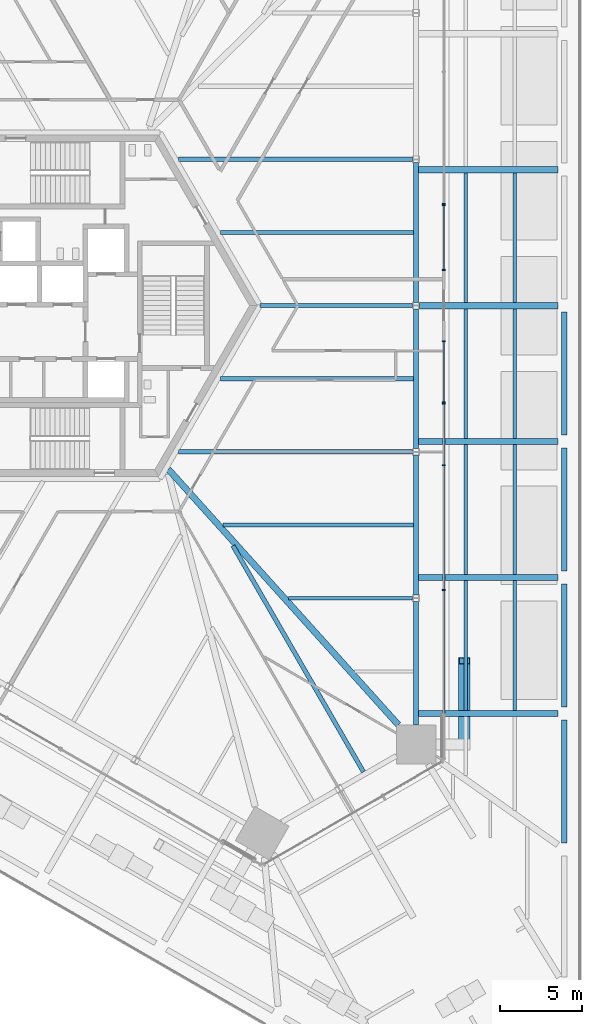
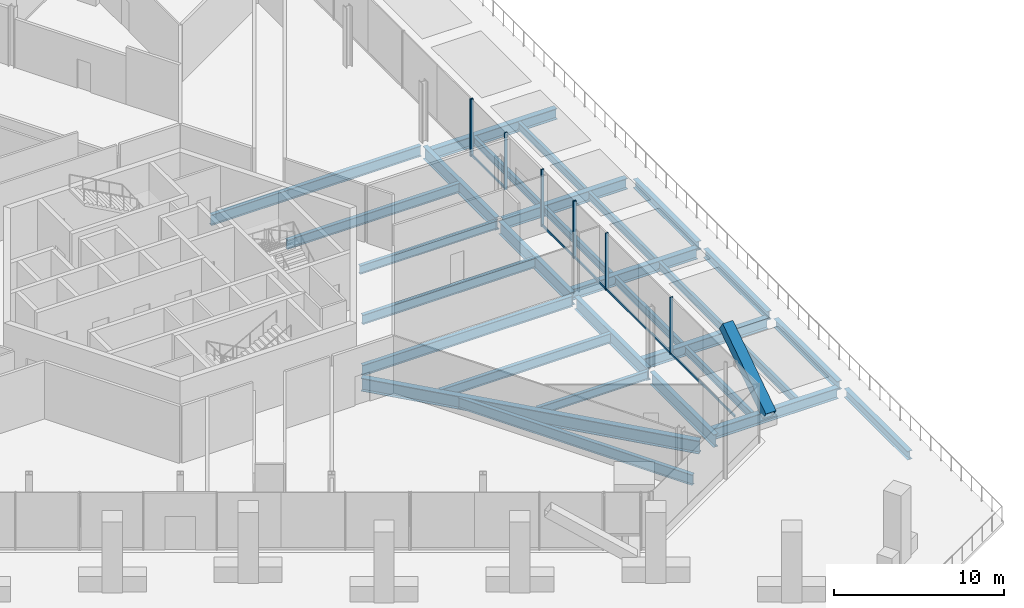
# One storey, part 11 of 38: 30 beams, 14 members, 4 elements without a shape of their own.
"""IFC4 building model written with IfcOpenShell, lengths in metres."""

from ifc_helpers import new_model, si_unit, direction, frame, origin, origin_2d, place, context, subcontext, project, spatial, rectangle, hollow_rectangle, i_section, extrude, source, transform, mapped, material, material_profile, profile_set, type_object, element, aggregate, save


model = new_model("IFC4")

# Units and contexts
model_context = context("Model", 3, precision=1e-05, world=origin(), true_north=direction((0.0, 1.0)))
body_context = subcontext(model_context, "Body", "Model", "MODEL_VIEW")
ifc_project = project(units=[si_unit("LENGTHUNIT", "METRE"), si_unit("AREAUNIT", "SQUARE_METRE"), si_unit("VOLUMEUNIT", "CUBIC_METRE"), si_unit("PLANEANGLEUNIT", "RADIAN"), si_unit("MASSUNIT", "GRAM", prefix="KILO")], contexts=[model_context])

# Site, building, storey
site_placement = place(None, origin())
site = spatial("IfcSite", under=ifc_project, at=site_placement, CompositionType="ELEMENT")
building_placement = place(site_placement, origin())
building = spatial("IfcBuilding", under=site, at=building_placement, Name="Triune Harvest Tower", CompositionType="ELEMENT")
storey_placement = place(building_placement, frame((0.0, 0.0, 16.0)))
storey = spatial("IfcBuildingStorey", under=building, at=storey_placement, Name="L03", CompositionType="ELEMENT", Elevation=16.0)

# Curtain wall, member
ifc_material_1 = material(Name="Aluminium bronze anodised", Category="aluminium")
curtain_wall_type_1 = type_object("IfcCurtainWallType", Name="CW-6 Balcony window wall", PredefinedType="NOTDEFINED", material=ifc_material_1)
curtain_wall_1_placement = place(storey_placement, origin())
curtain_wall_1 = element("IfcCurtainWall", 1, at=curtain_wall_1_placement, inside=storey, type_object=curtain_wall_type_1, Name="CW-6 B1-F1 L03 run 2")
ifc_material_2 = material(Name="Aluminium bronze anodised", Category="aluminium")
ifc_material_profile_1 = material_profile(ifc_material_2, rectangle(XDim=0.090087890625, YDim=0.14990234375, at=origin_2d()), Name="TR-6 transom 90 x 150")
ifc_profile_set_1 = profile_set([ifc_material_profile_1], Name="Aluminium bronze anodised")
member_type_1 = type_object("IfcMemberType", Name="TR-6 transom 90 x 150", PredefinedType="USERDEFINED", material=ifc_profile_set_1)
member_1_placement = place(storey_placement, frame((23.371337890625, 2.206298828125, 0.074951171875), z_axis=(0.0, 1.0, 0.0), x_axis=(-1.0, 0.0, 0.0)))
member_1 = element("IfcMember", 2, at=member_1_placement, type_object=member_type_1, Name="CW-6 transom B1-F1 2.1", ObjectType="TRANSOM", PredefinedType="USERDEFINED", context=body_context, shape_type="SweptSolid", body=[
    extrude(rectangle(XDim=0.090087890625, YDim=0.14990234375, at=origin_2d()), origin(), (0.0, 0.0, 1.0), 3.885498046875),
])

# Beams
ifc_material_3 = material(Name="Steel ASTM A992 Gr 50", Category="steel")
ifc_material_profile_2 = material_profile(ifc_material_3, i_section(OverallWidth=0.383544921875, OverallDepth=0.9423828125, WebThickness=0.022216796875, FlangeThickness=0.039794921875, at=origin_2d()), Name="W36x232")
ifc_profile_set_2 = profile_set([ifc_material_profile_2], Name="Steel ASTM A992 Gr 50")
beam_type_1 = type_object("IfcBeamType", Name="HG-1 Hip girder W36x232", PredefinedType="BEAM", material=ifc_profile_set_2)
shared_shape_1 = source(origin(), body_context, "Body", "SweptSolid", [
    extrude(i_section(OverallWidth=0.383544921875, OverallDepth=0.9423828125, WebThickness=0.022216796875, FlangeThickness=0.039794921875, at=origin_2d()), origin(), (0.0, 0.0, 1.0), 20.933349609375),
])
beam_1_placement = place(storey_placement, frame((20.599365234375, -25.530029296875, -0.671142578125), z_axis=(-0.668990505388, 0.743270949049, 0.0), x_axis=(-0.743270949049, -0.668990505388, 0.0)))
element("IfcBeam", 3, at=beam_1_placement, inside=storey, type_object=beam_type_1, Name="beam/L03/HG1", PredefinedType="BEAM", context=body_context, shape_type="MappedRepresentation", body=[
    mapped(shared_shape_1, transform((0.0, 0.0, 0.0), scale=1.0)),
])
ifc_material_4 = material(Name="Steel ASTM A992 Gr 50", Category="steel")
ifc_material_profile_3 = material_profile(ifc_material_4, i_section(OverallWidth=0.22900390625, OverallDepth=0.612060546875, WebThickness=0.011962890625, FlangeThickness=0.01953125, at=origin_2d()), Name="W24x84")
ifc_profile_set_3 = profile_set([ifc_material_profile_3], Name="Steel ASTM A992 Gr 50")
beam_type_2 = type_object("IfcBeamType", Name="JT-3 Floor joist W24x84", PredefinedType="JOIST", material=ifc_profile_set_3)
shared_shape_2 = source(origin(), body_context, "Body", "SweptSolid", [
    extrude(i_section(OverallWidth=0.22900390625, OverallDepth=0.612060546875, WebThickness=0.011962890625, FlangeThickness=0.01953125, at=origin_2d()), origin(), (0.0, 0.0, 1.0), 7.558349609375),
])
beam_2_placement = place(storey_placement, frame((21.476318359375, -17.820068359375, -0.506103515625), z_axis=(-1.0, 0.0, 0.0), x_axis=(0.0, -1.0, 0.0)))
element("IfcBeam", 4, at=beam_2_placement, inside=storey, type_object=beam_type_2, Name="beam/L03/JT2", PredefinedType="JOIST", context=body_context, shape_type="MappedRepresentation", body=[
    mapped(shared_shape_2, transform((0.0, 0.0, 0.0), scale=1.0)),
])
ifc_material_5 = material(Name="Steel ASTM A992 Gr 50", Category="steel")
ifc_material_profile_4 = material_profile(ifc_material_5, i_section(OverallWidth=0.2666015625, OverallDepth=0.7568359375, WebThickness=0.013916015625, FlangeThickness=0.019287109375, at=origin_2d()), Name="W30x108")
ifc_profile_set_4 = profile_set([ifc_material_profile_4], Name="Steel ASTM A992 Gr 50")
beam_type_3 = type_object("IfcBeamType", Name="JT-5 Floor joist W30x108", PredefinedType="JOIST", material=ifc_profile_set_4)
shared_shape_3 = source(origin(), body_context, "Body", "SweptSolid", [
    extrude(i_section(OverallWidth=0.2666015625, OverallDepth=0.7568359375, WebThickness=0.013916015625, FlangeThickness=0.019287109375, at=origin_2d()), origin(), (0.0, 0.0, 1.0), 14.2685546875),
])
for number, where, z_axis, x_axis, name in (
    (5, (21.476318359375, -8.909912109375, -0.57861328125), (-1.0, 0.0, 0.0), (0.0, -1.0, 0.0), "beam/L03/JT4"),
    (6, (21.476318359375, 8.909912109375, -0.57861328125), (-1.0, 0.0, 0.0), (0.0, -1.0, 0.0), "beam/L03/JT8"),
):
    element("IfcBeam", number, at=place(storey_placement, frame(where, z_axis=z_axis, x_axis=x_axis)), inside=storey, type_object=beam_type_3, Name=name, PredefinedType="JOIST", context=body_context, shape_type="MappedRepresentation", body=[
        mapped(shared_shape_3, transform((0.0, 0.0, 0.0), scale=1.0)),
    ])
shared_shape_4 = source(origin(), body_context, "Body", "SweptSolid", [
    extrude(i_section(OverallWidth=0.22900390625, OverallDepth=0.612060546875, WebThickness=0.011962890625, FlangeThickness=0.01953125, at=origin_2d()), origin(), (0.0, 0.0, 1.0), 9.30029296875),
])
beam_3_placement = place(storey_placement, frame((21.476318359375, 0.0, -0.506103515625), z_axis=(-1.0, 0.0, 0.0), x_axis=(0.0, -1.0, 0.0)))
element("IfcBeam", 7, at=beam_3_placement, inside=storey, type_object=beam_type_2, Name="beam/L03/JT6", PredefinedType="JOIST", context=body_context, shape_type="MappedRepresentation", body=[
    mapped(shared_shape_4, transform((0.0, 0.0, 0.0), scale=1.0)),
])
ifc_material_6 = material(Name="Steel ASTM A992 Gr 50", Category="steel")
ifc_material_profile_5 = material_profile(ifc_material_6, i_section(OverallWidth=0.32763671875, OverallDepth=0.62744140625, WebThickness=0.0166015625, FlangeThickness=0.027587890625, at=origin_2d()), Name="W24x146")
ifc_profile_set_5 = profile_set([ifc_material_profile_5], Name="Steel ASTM A992 Gr 50")
beam_type_4 = type_object("IfcBeamType", Name="PD-4 Podium edge beam W24x146", PredefinedType="BEAM", material=ifc_profile_set_5)
shared_shape_5 = source(origin(), body_context, "Body", "SweptSolid", [
    extrude(i_section(OverallWidth=0.32763671875, OverallDepth=0.62744140625, WebThickness=0.0166015625, FlangeThickness=0.027587890625, at=origin_2d()), origin(), (0.0, 0.0, 1.0), 7.47998046875),
])
for number, where, z_axis, x_axis, name in (
    (8, (30.715087890625, -32.719970703125, -0.513671875), (0.0, 1.0, 0.0), (-1.0, 0.0, 0.0), "beam/L03/PE2"),
    (9, (30.715087890625, -24.43994140625, -0.513671875), (0.0, 1.0, 0.0), (-1.0, 0.0, 0.0), "beam/L03/PE3"),
    (10, (30.715087890625, -16.159912109375, -0.513671875), (0.0, 1.0, 0.0), (-1.0, 0.0, 0.0), "beam/L03/PE4"),
    (11, (30.715087890625, -7.8798828125, -0.513671875), (0.0, 1.0, 0.0), (-1.0, 0.0, 0.0), "beam/L03/PE5"),
):
    element("IfcBeam", number, at=place(storey_placement, frame(where, z_axis=z_axis, x_axis=x_axis)), inside=storey, type_object=beam_type_4, Name=name, PredefinedType="BEAM", context=body_context, shape_type="MappedRepresentation", body=[
        mapped(shared_shape_5, transform((0.0, 0.0, 0.0), scale=1.0)),
    ])
ifc_material_7 = material(Name="Steel ASTM A992 Gr 50", Category="steel")
ifc_material_profile_6 = material_profile(ifc_material_7, i_section(OverallWidth=0.381103515625, OverallDepth=0.772216796875, WebThickness=0.0166015625, FlangeThickness=0.027099609375, at=origin_2d()), Name="W30x173")
ifc_profile_set_6 = profile_set([ifc_material_profile_6], Name="Steel ASTM A992 Gr 50")
beam_type_5 = type_object("IfcBeamType", Name="PD-3 Podium girder W30x173", PredefinedType="BEAM", material=ifc_profile_set_6)
shared_shape_6 = source(origin(), body_context, "Body", "SweptSolid", [
    extrude(i_section(OverallWidth=0.381103515625, OverallDepth=0.772216796875, WebThickness=0.0166015625, FlangeThickness=0.027099609375, at=origin_2d()), origin(), (0.0, 0.0, 1.0), 8.432373046875),
])
beam_4_placement = place(storey_placement, frame((30.315185546875, 0.0, -0.586181640625), z_axis=(-1.0, 0.0, 0.0), x_axis=(0.0, -1.0, 0.0)))
element("IfcBeam", 12, at=beam_4_placement, inside=storey, type_object=beam_type_5, Name="beam/L03/PR7", PredefinedType="BEAM", context=body_context, shape_type="MappedRepresentation", body=[
    mapped(shared_shape_6, transform((0.0, 0.0, 0.0), scale=1.0)),
])
ifc_material_8 = material(Name="Steel ASTM A992 Gr 50", Category="steel")
ifc_material_profile_7 = material_profile(ifc_material_8, i_section(OverallWidth=0.2138671875, OverallDepth=0.548583984375, WebThickness=0.0146484375, FlangeThickness=0.023681640625, at=origin_2d()), Name="W21x93")
ifc_profile_set_7 = profile_set([ifc_material_profile_7], Name="Steel ASTM A992 Gr 50")
beam_type_6 = type_object("IfcBeamType", Name="PD-5 Podium joist W21x93", PredefinedType="JOIST", material=ifc_profile_set_7)
shared_shape_7 = source(origin(), body_context, "Body", "SweptSolid", [
    extrude(i_section(OverallWidth=0.2138671875, OverallDepth=0.548583984375, WebThickness=0.0146484375, FlangeThickness=0.023681640625, at=origin_2d()), origin(), (0.0, 0.0, 1.0), 7.89892578125),
])
for number, where, z_axis, x_axis, name in (
    (13, (27.703125, -24.6494140625, -0.474365234375), (0.0, 1.0, 0.0), (-1.0, 0.0, 0.0), "beam/L03/PJ6"),
    (14, (24.69140625, -24.6494140625, -0.474365234375), (0.0, 1.0, 0.0), (-1.0, 0.0, 0.0), "beam/L03/PJ7"),
    (15, (27.703125, -16.369384765625, -0.474365234375), (0.0, 1.0, 0.0), (-1.0, 0.0, 0.0), "beam/L03/PJ8"),
    (16, (24.69140625, -16.369384765625, -0.474365234375), (0.0, 1.0, 0.0), (-1.0, 0.0, 0.0), "beam/L03/PJ9"),
):
    element("IfcBeam", number, at=place(storey_placement, frame(where, z_axis=z_axis, x_axis=x_axis)), inside=storey, type_object=beam_type_6, Name=name, PredefinedType="JOIST", context=body_context, shape_type="MappedRepresentation", body=[
        mapped(shared_shape_7, transform((0.0, 0.0, 0.0), scale=1.0)),
    ])
shared_shape_8 = source(origin(), body_context, "Body", "SweptSolid", [
    extrude(i_section(OverallWidth=0.2138671875, OverallDepth=0.548583984375, WebThickness=0.0146484375, FlangeThickness=0.023681640625, at=origin_2d()), origin(), (0.0, 0.0, 1.0), 7.899169921875),
])
for number, where, z_axis, x_axis, name in (
    (17, (27.703125, -8.089599609375, -0.474365234375), (0.0, 1.0, 0.0), (-1.0, 0.0, 0.0), "beam/L03/PJ10"),
    (18, (24.69140625, -8.089599609375, -0.474365234375), (0.0, 1.0, 0.0), (-1.0, 0.0, 0.0), "beam/L03/PJ11"),
    (19, (27.703125, 0.1904296875, -0.474365234375), (0.0, 1.0, 0.0), (-1.0, 0.0, 0.0), "beam/L03/PJ12"),
    (20, (24.69140625, 0.1904296875, -0.474365234375), (0.0, 1.0, 0.0), (-1.0, 0.0, 0.0), "beam/L03/PJ13"),
):
    element("IfcBeam", number, at=place(storey_placement, frame(where, z_axis=z_axis, x_axis=x_axis)), inside=storey, type_object=beam_type_6, Name=name, PredefinedType="JOIST", context=body_context, shape_type="MappedRepresentation", body=[
        mapped(shared_shape_8, transform((0.0, 0.0, 0.0), scale=1.0)),
    ])
ifc_material_9 = material(Name="Steel ASTM A992 Gr 50", Category="steel")
ifc_material_profile_8 = material_profile(ifc_material_9, i_section(OverallWidth=0.3046875, OverallDepth=0.914306640625, WebThickness=0.0166015625, FlangeThickness=0.02587890625, at=origin_2d()), Name="W36x160")
ifc_profile_set_8 = profile_set([ifc_material_profile_8], Name="Steel ASTM A992 Gr 50")
beam_type_7 = type_object("IfcBeamType", Name="SB-1 Spandrel beam W36x160", PredefinedType="SPANDREL", material=ifc_profile_set_8)
shared_shape_9 = source(origin(), body_context, "Body", "SweptSolid", [
    extrude(i_section(OverallWidth=0.3046875, OverallDepth=0.914306640625, WebThickness=0.0166015625, FlangeThickness=0.02587890625, at=origin_2d()), origin(), (0.0, 0.0, 1.0), 7.508056640625),
])
beam_5_placement = place(storey_placement, frame((21.679443359375, -25.530029296875, -0.6572265625), z_axis=(0.0, 1.0, 0.0), x_axis=(-1.0, 0.0, 0.0)))
element("IfcBeam", 21, at=beam_5_placement, inside=storey, type_object=beam_type_7, Name="beam/L03/SB1", PredefinedType="SPANDREL", context=body_context, shape_type="MappedRepresentation", body=[
    mapped(shared_shape_9, transform((0.0, 0.0, 0.0), scale=1.0)),
])
shared_shape_10 = source(origin(), body_context, "Body", "SweptSolid", [
    extrude(i_section(OverallWidth=0.3046875, OverallDepth=0.914306640625, WebThickness=0.0166015625, FlangeThickness=0.02587890625, at=origin_2d()), origin(), (0.0, 0.0, 1.0), 8.50634765625),
])
beam_6_placement = place(storey_placement, frame((21.679443359375, -17.6181640625, -0.6572265625), z_axis=(0.0, 1.0, 0.0), x_axis=(-1.0, 0.0, 0.0)))
element("IfcBeam", 22, at=beam_6_placement, inside=storey, type_object=beam_type_7, Name="beam/L03/SB2", PredefinedType="SPANDREL", context=body_context, shape_type="MappedRepresentation", body=[
    mapped(shared_shape_10, transform((0.0, 0.0, 0.0), scale=1.0)),
])
shared_shape_11 = source(origin(), body_context, "Body", "SweptSolid", [
    extrude(i_section(OverallWidth=0.3046875, OverallDepth=0.914306640625, WebThickness=0.0166015625, FlangeThickness=0.02587890625, at=origin_2d()), origin(), (0.0, 0.0, 1.0), 8.506103515625),
])
for number, where, z_axis, x_axis, name in (
    (23, (21.679443359375, -8.7080078125, -0.6572265625), (0.0, 1.0, 0.0), (-1.0, 0.0, 0.0), "beam/L03/SB3"),
    (24, (21.679443359375, 0.201904296875, -0.6572265625), (0.0, 1.0, 0.0), (-1.0, 0.0, 0.0), "beam/L03/SB4"),
):
    element("IfcBeam", number, at=place(storey_placement, frame(where, z_axis=z_axis, x_axis=x_axis)), inside=storey, type_object=beam_type_7, Name=name, PredefinedType="SPANDREL", context=body_context, shape_type="MappedRepresentation", body=[
        mapped(shared_shape_11, transform((0.0, 0.0, 0.0), scale=1.0)),
    ])
ifc_material_10 = material(Name="Steel ASTM A992 Gr 50", Category="steel")
ifc_material_profile_9 = material_profile(ifc_material_10, i_section(OverallWidth=0.253662109375, OverallDepth=0.683349609375, WebThickness=0.012451171875, FlangeThickness=0.01904296875, at=origin_2d()), Name="W27x94")
ifc_profile_set_9 = profile_set([ifc_material_profile_9], Name="Steel ASTM A992 Gr 50")
beam_type_8 = type_object("IfcBeamType", Name="JT-4 Floor joist W27x94", PredefinedType="JOIST", material=ifc_profile_set_9)
shared_shape_12 = source(origin(), body_context, "Body", "SweptSolid", [
    extrude(i_section(OverallWidth=0.253662109375, OverallDepth=0.683349609375, WebThickness=0.012451171875, FlangeThickness=0.01904296875, at=origin_2d()), origin(), (0.0, 0.0, 1.0), 11.619140625),
])
beam_7_placement = place(storey_placement, frame((21.527099609375, -13.364990234375, -0.54150390625), z_axis=(-1.0, 0.0, 0.0), x_axis=(0.0, -1.0, 0.0)))
element("IfcBeam", 25, at=beam_7_placement, inside=storey, type_object=beam_type_8, Name="beam/L03/JT3", PredefinedType="JOIST", context=body_context, shape_type="MappedRepresentation", body=[
    mapped(shared_shape_12, transform((0.0, 0.0, 0.0), scale=1.0)),
])
shared_shape_13 = source(origin(), body_context, "Body", "SweptSolid", [
    extrude(i_section(OverallWidth=0.253662109375, OverallDepth=0.683349609375, WebThickness=0.012451171875, FlangeThickness=0.01904296875, at=origin_2d()), origin(), (0.0, 0.0, 1.0), 11.747314453125),
])
for number, where, z_axis, x_axis, name in (
    (26, (21.527099609375, -4.455078125, -0.54150390625), (-1.0, 0.0, 0.0), (0.0, -1.0, 0.0), "beam/L03/JT5"),
    (27, (21.527099609375, 4.455078125, -0.54150390625), (-1.0, 0.0, 0.0), (0.0, -1.0, 0.0), "beam/L03/JT7"),
):
    element("IfcBeam", number, at=place(storey_placement, frame(where, z_axis=z_axis, x_axis=x_axis)), inside=storey, type_object=beam_type_8, Name=name, PredefinedType="JOIST", context=body_context, shape_type="MappedRepresentation", body=[
        mapped(shared_shape_13, transform((0.0, 0.0, 0.0), scale=1.0)),
    ])
shared_shape_14 = source(origin(), body_context, "Body", "SweptSolid", [
    extrude(i_section(OverallWidth=0.2666015625, OverallDepth=0.7568359375, WebThickness=0.013916015625, FlangeThickness=0.019287109375, at=origin_2d()), origin(), (0.0, 0.0, 1.0), 15.90771484375),
])
beam_8_placement = place(storey_placement, frame((18.479736328125, -28.4013671875, -0.57861328125), z_axis=(-0.499996565981, 0.866027386407, 0.0), x_axis=(-0.866027386407, -0.499996565981, 0.0)))
element("IfcBeam", 28, at=beam_8_placement, inside=storey, type_object=beam_type_3, Name="beam/L03/JT39", PredefinedType="JOIST", context=body_context, shape_type="MappedRepresentation", body=[
    mapped(shared_shape_14, transform((0.0, 0.0, 0.0), scale=1.0)),
])
shared_shape_15 = source(origin(), body_context, "Body", "SweptSolid", [
    extrude(i_section(OverallWidth=0.381103515625, OverallDepth=0.772216796875, WebThickness=0.0166015625, FlangeThickness=0.027099609375, at=origin_2d()), origin(), (0.0, 0.0, 1.0), 8.4833984375),
])
for number, where, z_axis, x_axis, name in (
    (29, (30.315185546875, -24.840087890625, -0.586181640625), (-1.0, 0.0, 0.0), (0.0, -1.0, 0.0), "beam/L03/PR4"),
    (30, (30.315185546875, -16.56005859375, -0.586181640625), (-1.0, 0.0, 0.0), (0.0, -1.0, 0.0), "beam/L03/PR5"),
    (31, (30.315185546875, -8.280029296875, -0.586181640625), (-1.0, 0.0, 0.0), (0.0, -1.0, 0.0), "beam/L03/PR6"),
    (32, (30.315185546875, 8.280029296875, -0.586181640625), (-1.0, 0.0, 0.0), (0.0, -1.0, 0.0), "beam/L03/PR8"),
):
    element("IfcBeam", number, at=place(storey_placement, frame(where, z_axis=z_axis, x_axis=x_axis)), inside=storey, type_object=beam_type_5, Name=name, PredefinedType="BEAM", context=body_context, shape_type="MappedRepresentation", body=[
        mapped(shared_shape_15, transform((0.0, 0.0, 0.0), scale=1.0)),
    ])

# Member
ifc_material_11 = material(Name="Steel ASTM A572 Gr 50", Category="steel")
ifc_material_profile_10 = material_profile(ifc_material_11, hollow_rectangle(XDim=0.699951171875, YDim=0.699951171875, WallThickness=0.0400390625, at=origin_2d()), Name="Box 700x700x40")
ifc_profile_set_10 = profile_set([ifc_material_profile_10], Name="Steel ASTM A572 Gr 50")
member_type_2 = type_object("IfcMemberType", Name="BR-1 Brace Box 700x700x40", PredefinedType="BRACE", material=ifc_profile_set_10)
shared_shape_16 = source(origin(), body_context, "Body", "SweptSolid", [
    extrude(hollow_rectangle(XDim=0.699951171875, YDim=0.699951171875, WallThickness=0.0400390625, at=origin_2d()), origin(), (0.0, 0.0, 1.0), 6.129150390625),
])
member_2_placement = place(storey_placement, frame((24.621337890625, -26.72998046875, 0.889892578125), z_axis=(0.0, 0.830920988668, 0.556390429996), x_axis=(-1.0, 0.0, 0.0)))
element("IfcMember", 33, at=member_2_placement, inside=storey, type_object=member_type_2, Name="brace/B1-F1/d1/1", PredefinedType="BRACE", context=body_context, shape_type="MappedRepresentation", body=[
    mapped(shared_shape_16, transform((0.0, 0.0, 0.0), scale=1.0)),
])

# Curtain wall, members
ifc_material_12 = material(Name="Aluminium bronze anodised", Category="aluminium")
curtain_wall_type_2 = type_object("IfcCurtainWallType", Name="CW-10 Balcony window wall with insulated spandrel infill", PredefinedType="NOTDEFINED", material=ifc_material_12)
curtain_wall_2_placement = place(storey_placement, origin())
curtain_wall_2 = element("IfcCurtainWall", 34, at=curtain_wall_2_placement, inside=storey, type_object=curtain_wall_type_2, Name="CW-10 B1-F1 L03 run 101")
ifc_material_13 = material(Name="Aluminium bronze anodised", Category="aluminium")
ifc_material_profile_11 = material_profile(ifc_material_13, rectangle(XDim=0.199951171875, YDim=0.074951171875, at=origin_2d()), Name="MU-6 mullion 75 x 200")
ifc_profile_set_11 = profile_set([ifc_material_profile_11], Name="Aluminium bronze anodised")
member_type_3 = type_object("IfcMemberType", Name="MU-6 mullion 75 x 200", PredefinedType="MULLION", material=ifc_profile_set_11)
shared_shape_17 = source(origin(), body_context, "Body", "SweptSolid", [
    extrude(rectangle(XDim=0.199951171875, YDim=0.074951171875, at=origin_2d()), origin(), (0.0, 0.0, 1.0), 4.10009765625),
])
member_3_placement = place(storey_placement, frame((23.371337890625, -17.32421875, 0.0), z_axis=(0.0, 0.0, 1.0), x_axis=(-1.0, 0.0, 0.0)))
member_3 = element("IfcMember", 35, at=member_3_placement, type_object=member_type_3, Name="CW-10 mullion B1-F1 101.3", PredefinedType="MULLION", context=body_context, shape_type="MappedRepresentation", body=[
    mapped(shared_shape_17, transform((0.0, 0.0, 0.0), scale=1.0)),
])
member_4_placement = place(storey_placement, frame((23.371337890625, -9.727783203125, 0.0), z_axis=(0.0, 0.0, 1.0), x_axis=(-1.0, 0.0, 0.0)))
member_4 = element("IfcMember", 36, at=member_4_placement, type_object=member_type_3, Name="CW-10 mullion B1-F1 101.5", PredefinedType="MULLION", context=body_context, shape_type="MappedRepresentation", body=[
    mapped(shared_shape_17, transform((0.0, 0.0, 0.0), scale=1.0)),
])
member_5_placement = place(storey_placement, frame((23.371337890625, -5.967041015625, 0.0), z_axis=(0.0, 0.0, 1.0), x_axis=(-1.0, 0.0, 0.0)))
member_5 = element("IfcMember", 37, at=member_5_placement, type_object=member_type_3, Name="CW-10 mullion B1-F1 101.6", PredefinedType="MULLION", context=body_context, shape_type="MappedRepresentation", body=[
    mapped(shared_shape_17, transform((0.0, 0.0, 0.0), scale=1.0)),
])

curtain_wall_3_placement = place(storey_placement, origin())
curtain_wall_3 = element("IfcCurtainWall", 38, at=curtain_wall_3_placement, inside=storey, type_object=curtain_wall_type_1, Name="CW-6 B1-F1 L03 run 1101")
member_6_placement = place(storey_placement, frame((23.371337890625, -5.89208984375, 0.0), z_axis=(0.0, 0.0, 1.0), x_axis=(-1.0, 0.0, 0.0)))
member_6 = element("IfcMember", 39, at=member_6_placement, type_object=member_type_3, Name="CW-6 mullion B1-F1 1101.1", PredefinedType="MULLION", context=body_context, shape_type="MappedRepresentation", body=[
    mapped(shared_shape_17, transform((0.0, 0.0, 0.0), scale=1.0)),
])
member_7_placement = place(storey_placement, frame((23.371337890625, -2.168701171875, 0.0), z_axis=(0.0, 0.0, 1.0), x_axis=(-1.0, 0.0, 0.0)))
member_7 = element("IfcMember", 40, at=member_7_placement, type_object=member_type_3, Name="CW-6 mullion B1-F1 1101.2", PredefinedType="MULLION", context=body_context, shape_type="MappedRepresentation", body=[
    mapped(shared_shape_17, transform((0.0, 0.0, 0.0), scale=1.0)),
])

# Member
member_8_placement = place(storey_placement, frame((23.371337890625, 2.168701171875, 0.0), z_axis=(0.0, 0.0, 1.0), x_axis=(-1.0, 0.0, 0.0)))
member_8 = element("IfcMember", 41, at=member_8_placement, type_object=member_type_3, Name="CW-6 mullion B1-F1 2.1", PredefinedType="MULLION", context=body_context, shape_type="MappedRepresentation", body=[
    mapped(shared_shape_17, transform((0.0, 0.0, 0.0), scale=1.0)),
])

member_9_placement = place(storey_placement, frame((23.371337890625, 6.12939453125, 0.0), z_axis=(0.0, 0.0, 1.0), x_axis=(-1.0, 0.0, 0.0)))
member_9 = element("IfcMember", 42, at=member_9_placement, type_object=member_type_3, Name="CW-6 mullion B1-F1 2.2", PredefinedType="MULLION", context=body_context, shape_type="MappedRepresentation", body=[
    mapped(shared_shape_17, transform((0.0, 0.0, 0.0), scale=1.0)),
])

aggregate(curtain_wall_1, [member_8, member_9, member_1])

# Curtain wall, member
curtain_wall_4_placement = place(storey_placement, origin())
curtain_wall_4 = element("IfcCurtainWall", 43, at=curtain_wall_4_placement, inside=storey, type_object=curtain_wall_type_2, Name="CW-10 B1-F1 L03 run 1002")
member_10_placement = place(storey_placement, frame((23.371337890625, 6.204345703125, 0.0), z_axis=(0.0, 0.0, 1.0), x_axis=(-1.0, 0.0, 0.0)))
member_10 = element("IfcMember", 44, at=member_10_placement, type_object=member_type_3, Name="CW-10 mullion B1-F1 1002.1", PredefinedType="MULLION", context=body_context, shape_type="MappedRepresentation", body=[
    mapped(shared_shape_17, transform((0.0, 0.0, 0.0), scale=1.0)),
])
aggregate(curtain_wall_4, [member_10])

# Member
shared_shape_18 = source(origin(), body_context, "Body", "SweptSolid", [
    extrude(rectangle(XDim=0.090087890625, YDim=0.14990234375, at=origin_2d()), origin(), (0.0, 0.0, 1.0), 7.48388671875),
])
member_11_placement = place(storey_placement, frame((23.371337890625, -24.845703125, 0.074951171875), z_axis=(0.0, 1.0, 0.0), x_axis=(-1.0, 0.0, 0.0)))
member_11 = element("IfcMember", 45, at=member_11_placement, type_object=member_type_1, Name="CW-10 transom B1-F1 101.1", ObjectType="TRANSOM", PredefinedType="USERDEFINED", context=body_context, shape_type="MappedRepresentation", body=[
    mapped(shared_shape_18, transform((0.0, 0.0, 0.0), scale=1.0)),
])

shared_shape_19 = source(origin(), body_context, "Body", "SweptSolid", [
    extrude(rectangle(XDim=0.090087890625, YDim=0.14990234375, at=origin_2d()), origin(), (0.0, 0.0, 1.0), 7.521484375),
])
member_12_placement = place(storey_placement, frame((23.371337890625, -17.28662109375, 0.074951171875), z_axis=(0.0, 1.0, 0.0), x_axis=(-1.0, 0.0, 0.0)))
member_12 = element("IfcMember", 46, at=member_12_placement, type_object=member_type_1, Name="CW-10 transom B1-F1 101.2", ObjectType="TRANSOM", PredefinedType="USERDEFINED", context=body_context, shape_type="MappedRepresentation", body=[
    mapped(shared_shape_19, transform((0.0, 0.0, 0.0), scale=1.0)),
])

shared_shape_20 = source(origin(), body_context, "Body", "SweptSolid", [
    extrude(rectangle(XDim=0.090087890625, YDim=0.14990234375, at=origin_2d()), origin(), (0.0, 0.0, 1.0), 3.685791015625),
])
member_13_placement = place(storey_placement, frame((23.371337890625, -9.690185546875, 0.074951171875), z_axis=(0.0, 1.0, 0.0), x_axis=(-1.0, 0.0, 0.0)))
member_13 = element("IfcMember", 47, at=member_13_placement, type_object=member_type_1, Name="CW-10 transom B1-F1 101.3", ObjectType="TRANSOM", PredefinedType="USERDEFINED", context=body_context, shape_type="MappedRepresentation", body=[
    mapped(shared_shape_20, transform((0.0, 0.0, 0.0), scale=1.0)),
])

aggregate(curtain_wall_2, [member_3, member_4, member_5, member_11, member_12, member_13])

shared_shape_21 = source(origin(), body_context, "Body", "SweptSolid", [
    extrude(rectangle(XDim=0.090087890625, YDim=0.14990234375, at=origin_2d()), origin(), (0.0, 0.0, 1.0), 3.648193359375),
])
member_14_placement = place(storey_placement, frame((23.371337890625, -5.8544921875, 0.074951171875), z_axis=(0.0, 1.0, 0.0), x_axis=(-1.0, 0.0, 0.0)))
member_14 = element("IfcMember", 48, at=member_14_placement, type_object=member_type_1, Name="CW-6 transom B1-F1 1101.1", ObjectType="TRANSOM", PredefinedType="USERDEFINED", context=body_context, shape_type="MappedRepresentation", body=[
    mapped(shared_shape_21, transform((0.0, 0.0, 0.0), scale=1.0)),
])

aggregate(curtain_wall_3, [member_6, member_7, member_14])

save(model, "model.ifc")
